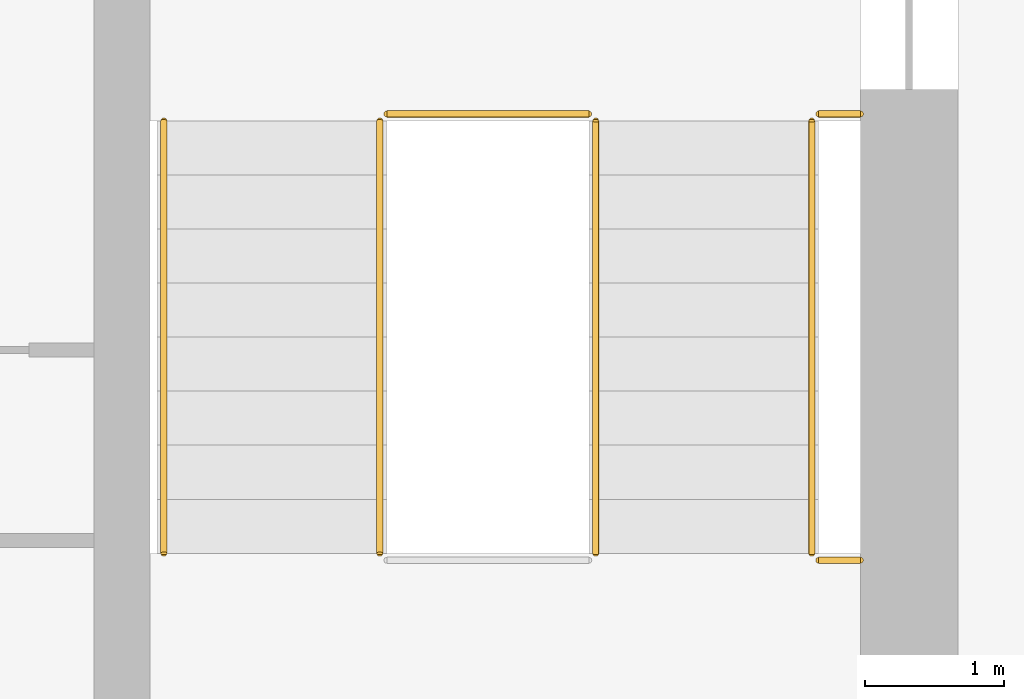
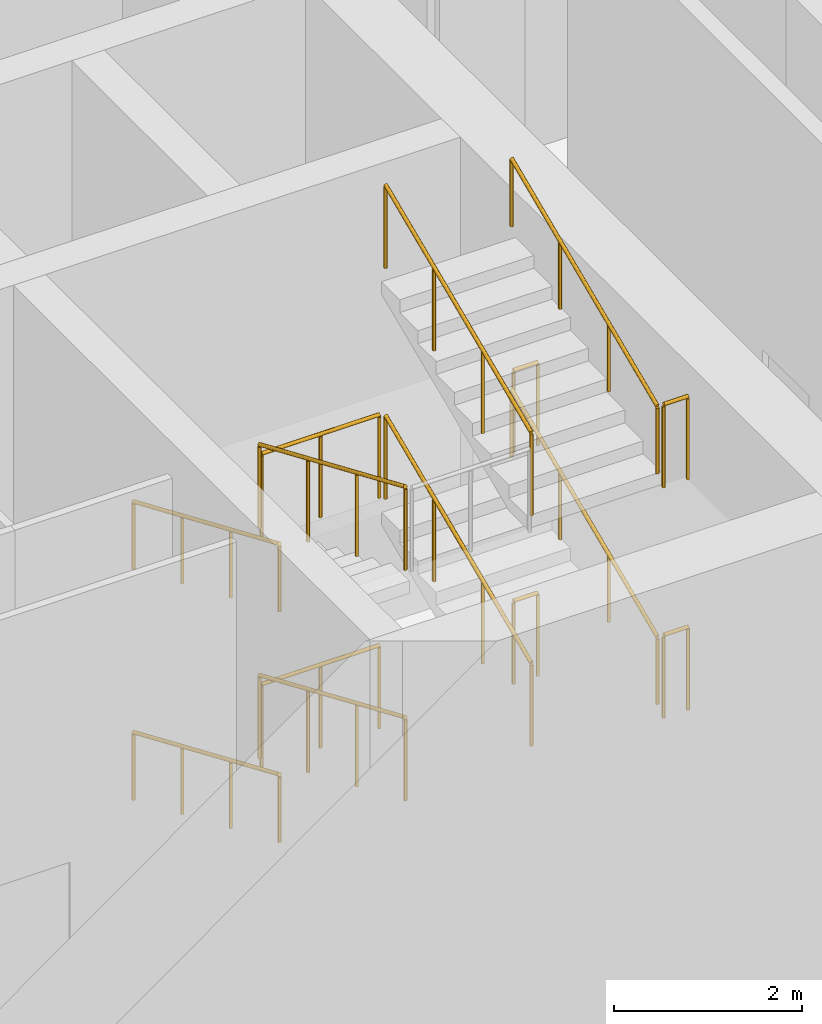
# One storey, part 20 of 25: 14 railings.
"""IFC4 building model written with IfcOpenShell, lengths in metres."""

from ifc_helpers import new_model, si_unit, direction, frame, origin, origin_2d, place, context, subcontext, project, spatial, circle, extrude, material, type_object, element, save


model = new_model("IFC4")

# Units and contexts
model_context = context("Model", 3, precision=1e-05, world=origin(), true_north=direction((0.0, 1.0)))
body_context = subcontext(model_context, "Body", "Model", "MODEL_VIEW")
ifc_project = project(units=[si_unit("LENGTHUNIT", "METRE"), si_unit("AREAUNIT", "SQUARE_METRE"), si_unit("VOLUMEUNIT", "CUBIC_METRE"), si_unit("PLANEANGLEUNIT", "RADIAN"), si_unit("MASSUNIT", "GRAM", prefix="KILO")], contexts=[model_context])

# Site, building, storey
site_placement = place(None, origin())
site = spatial("IfcSite", under=ifc_project, at=site_placement, CompositionType="ELEMENT")
building_placement = place(site_placement, origin())
building = spatial("IfcBuilding", under=site, at=building_placement, Name="Corbel Stack Research Tower", CompositionType="ELEMENT")
storey_placement = place(building_placement, frame((0.0, 0.0, 260.300048828125)))
storey = spatial("IfcBuildingStorey", under=building, at=storey_placement, Name="L59", CompositionType="ELEMENT", Elevation=260.300048828125)

# Railings
ifc_material_1 = material(Name="Steel S355", Category="steel")
railing_type_1 = type_object("IfcRailingType", Name="Stair guard 1100", PredefinedType="GUARDRAIL", material=ifc_material_1)
railing_1_placement = place(storey_placement, frame((13.85009765625, -2.39990234375, 0.16650390625)))
element("IfcRailing", 1, at=railing_1_placement, inside=storey, type_object=railing_type_1, Name="L59 ST-E1 stair guard 1", PredefinedType="GUARDRAIL", context=body_context, shape_type="SweptSolid", body=[
    extrude(circle(Radius=0.02392578125, at=origin_2d()), frame((0.0, 0.0, 1.076171875), z_axis=(0.0, -0.918800789217, 0.394721559753), x_axis=(1.0, 0.0, 0.0)), (0.0, 0.0, 1.0), 3.37841796875),
    extrude(circle(Radius=0.02099609375, at=origin_2d()), origin(), (0.0, 0.0, 1.0), 1.052001953125),
    extrude(circle(Radius=0.02099609375, at=origin_2d()), frame((0.0, -1.03466796875, 0.444580078125)), (0.0, 0.0, 1.0), 1.052001953125),
    extrude(circle(Radius=0.02099609375, at=origin_2d()), frame((0.0, -2.0693359375, 0.888916015625)), (0.0, 0.0, 1.0), 1.052001953125),
    extrude(circle(Radius=0.02099609375, at=origin_2d()), frame((0.0, -3.10400390625, 1.33349609375)), (0.0, 0.0, 1.0), 1.052001953125),
])
railing_2_placement = place(storey_placement, frame((17.0, -5.553955078125, 1.5)))
element("IfcRailing", 2, at=railing_2_placement, inside=storey, type_object=railing_type_1, Name="L59 ST-E1 stair guard 3", PredefinedType="GUARDRAIL", context=body_context, shape_type="SweptSolid", body=[
    extrude(circle(Radius=0.02392578125, at=origin_2d()), frame((0.0, 0.0, 1.076171875), z_axis=(1.0, 0.0, 0.0), x_axis=(0.0, 1.0, 0.0)), (0.0, 0.0, 1.0), 0.300048828125),
    extrude(circle(Radius=0.02099609375, at=origin_2d()), origin(), (0.0, 0.0, 1.0), 1.052001953125),
    extrude(circle(Radius=0.02099609375, at=origin_2d()), frame((0.300048828125, 0.0, 0.0)), (0.0, 0.0, 1.0), 1.052001953125),
])
railing_3_placement = place(storey_placement, frame((15.39990234375, -5.50390625, 1.66650390625)))
element("IfcRailing", 3, at=railing_3_placement, inside=storey, type_object=railing_type_1, Name="L59 ST-E1 stair guard 4", PredefinedType="GUARDRAIL", context=body_context, shape_type="SweptSolid", body=[
    extrude(circle(Radius=0.02392578125, at=origin_2d()), frame((0.0, 0.0, 1.076171875), z_axis=(0.0, 0.918800789217, 0.394721559753), x_axis=(-1.0, 0.0, 0.0)), (0.0, 0.0, 1.0), 3.37841796875),
    extrude(circle(Radius=0.02099609375, at=origin_2d()), origin(), (0.0, 0.0, 1.0), 1.052001953125),
    extrude(circle(Radius=0.02099609375, at=origin_2d()), frame((0.0, 1.03466796875, 0.444580078125)), (0.0, 0.0, 1.0), 1.052001953125),
    extrude(circle(Radius=0.02099609375, at=origin_2d()), frame((0.0, 2.0693359375, 0.888916015625)), (0.0, 0.0, 1.0), 1.052001953125),
    extrude(circle(Radius=0.02099609375, at=origin_2d()), frame((0.0, 3.10400390625, 1.33349609375)), (0.0, 0.0, 1.0), 1.052001953125),
])
railing_4_placement = place(storey_placement, frame((13.89990234375, -2.35009765625, 3.0)))
element("IfcRailing", 4, at=railing_4_placement, inside=storey, type_object=railing_type_1, Name="L59 ST-E1 stair guard 5", PredefinedType="GUARDRAIL", context=body_context, shape_type="SweptSolid", body=[
    extrude(circle(Radius=0.02392578125, at=origin_2d()), frame((0.0, 0.0, 1.076171875), z_axis=(1.0, 0.0, 0.0), x_axis=(0.0, 1.0, 0.0)), (0.0, 0.0, 1.0), 1.4501953125),
    extrude(circle(Radius=0.02099609375, at=origin_2d()), origin(), (0.0, 0.0, 1.0), 1.052001953125),
    extrude(circle(Radius=0.02099609375, at=origin_2d()), frame((0.72509765625, 0.0, 0.0)), (0.0, 0.0, 1.0), 1.052001953125),
    extrude(circle(Radius=0.02099609375, at=origin_2d()), frame((1.4501953125, 0.0, 0.0)), (0.0, 0.0, 1.0), 1.052001953125),
])
railing_5_placement = place(storey_placement, frame((17.0, -2.35009765625, 3.0)))
element("IfcRailing", 5, at=railing_5_placement, inside=storey, type_object=railing_type_1, Name="L59 ST-E1 stair guard 6", PredefinedType="GUARDRAIL", context=body_context, shape_type="SweptSolid", body=[
    extrude(circle(Radius=0.02392578125, at=origin_2d()), frame((0.0, 0.0, 1.076171875), z_axis=(1.0, 0.0, 0.0), x_axis=(0.0, 1.0, 0.0)), (0.0, 0.0, 1.0), 0.300048828125),
    extrude(circle(Radius=0.02099609375, at=origin_2d()), origin(), (0.0, 0.0, 1.0), 1.052001953125),
    extrude(circle(Radius=0.02099609375, at=origin_2d()), frame((0.300048828125, 0.0, 0.0)), (0.0, 0.0, 1.0), 1.052001953125),
])
railing_6_placement = place(storey_placement, frame((13.85009765625, -2.39990234375, 3.16650390625)))
element("IfcRailing", 6, at=railing_6_placement, inside=storey, type_object=railing_type_1, Name="L59 ST-E1 stair guard 7", PredefinedType="GUARDRAIL", context=body_context, shape_type="SweptSolid", body=[
    extrude(circle(Radius=0.02392578125, at=origin_2d()), frame((0.0, 0.0, 1.076171875), z_axis=(0.0, -0.918800789217, 0.394721559753), x_axis=(1.0, 0.0, 0.0)), (0.0, 0.0, 1.0), 3.37841796875),
    extrude(circle(Radius=0.02099609375, at=origin_2d()), origin(), (0.0, 0.0, 1.0), 1.052001953125),
    extrude(circle(Radius=0.02099609375, at=origin_2d()), frame((0.0, -1.03466796875, 0.444580078125)), (0.0, 0.0, 1.0), 1.052001953125),
    extrude(circle(Radius=0.02099609375, at=origin_2d()), frame((0.0, -2.0693359375, 0.888916015625)), (0.0, 0.0, 1.0), 1.052001953125),
    extrude(circle(Radius=0.02099609375, at=origin_2d()), frame((0.0, -3.10400390625, 1.33349609375)), (0.0, 0.0, 1.0), 1.052001953125),
])
railing_7_placement = place(storey_placement, frame((17.0, -5.553955078125, 4.5)))
element("IfcRailing", 7, at=railing_7_placement, inside=storey, type_object=railing_type_1, Name="L59 ST-E1 stair guard 9", PredefinedType="GUARDRAIL", context=body_context, shape_type="SweptSolid", body=[
    extrude(circle(Radius=0.02392578125, at=origin_2d()), frame((0.0, 0.0, 1.076171875), z_axis=(1.0, 0.0, 0.0), x_axis=(0.0, 1.0, 0.0)), (0.0, 0.0, 1.0), 0.300048828125),
    extrude(circle(Radius=0.02099609375, at=origin_2d()), origin(), (0.0, 0.0, 1.0), 1.052001953125),
    extrude(circle(Radius=0.02099609375, at=origin_2d()), frame((0.300048828125, 0.0, 0.0)), (0.0, 0.0, 1.0), 1.052001953125),
])
railing_8_placement = place(storey_placement, frame((15.39990234375, -5.50390625, 4.66650390625)))
element("IfcRailing", 8, at=railing_8_placement, inside=storey, type_object=railing_type_1, Name="L59 ST-E1 stair guard 10", PredefinedType="GUARDRAIL", context=body_context, shape_type="SweptSolid", body=[
    extrude(circle(Radius=0.02392578125, at=origin_2d()), frame((0.0, 0.0, 1.076171875), z_axis=(0.0, 0.918800789217, 0.394721559753), x_axis=(-1.0, 0.0, 0.0)), (0.0, 0.0, 1.0), 3.37841796875),
    extrude(circle(Radius=0.02099609375, at=origin_2d()), origin(), (0.0, 0.0, 1.0), 1.052001953125),
    extrude(circle(Radius=0.02099609375, at=origin_2d()), frame((0.0, 1.03466796875, 0.444580078125)), (0.0, 0.0, 1.0), 1.052001953125),
    extrude(circle(Radius=0.02099609375, at=origin_2d()), frame((0.0, 2.0693359375, 0.888916015625)), (0.0, 0.0, 1.0), 1.052001953125),
    extrude(circle(Radius=0.02099609375, at=origin_2d()), frame((0.0, 3.10400390625, 1.33349609375)), (0.0, 0.0, 1.0), 1.052001953125),
])
railing_9_placement = place(storey_placement, frame((13.89990234375, -2.35009765625, 0.0)))
element("IfcRailing", 9, at=railing_9_placement, inside=storey, type_object=railing_type_1, Name="L59 ST-E1 stair guard 11", PredefinedType="GUARDRAIL", context=body_context, shape_type="SweptSolid", body=[
    extrude(circle(Radius=0.02392578125, at=origin_2d()), frame((0.0, 0.0, 1.076171875), z_axis=(1.0, 0.0, 0.0), x_axis=(0.0, 1.0, 0.0)), (0.0, 0.0, 1.0), 1.4501953125),
    extrude(circle(Radius=0.02099609375, at=origin_2d()), origin(), (0.0, 0.0, 1.0), 1.052001953125),
    extrude(circle(Radius=0.02099609375, at=origin_2d()), frame((0.72509765625, 0.0, 0.0)), (0.0, 0.0, 1.0), 1.052001953125),
    extrude(circle(Radius=0.02099609375, at=origin_2d()), frame((1.4501953125, 0.0, 0.0)), (0.0, 0.0, 1.0), 1.052001953125),
])
railing_10_placement = place(storey_placement, frame((17.0, -2.35009765625, 0.0)))
element("IfcRailing", 10, at=railing_10_placement, inside=storey, type_object=railing_type_1, Name="L59 ST-E1 stair guard 12", PredefinedType="GUARDRAIL", context=body_context, shape_type="SweptSolid", body=[
    extrude(circle(Radius=0.02392578125, at=origin_2d()), frame((0.0, 0.0, 1.076171875), z_axis=(1.0, 0.0, 0.0), x_axis=(0.0, 1.0, 0.0)), (0.0, 0.0, 1.0), 0.300048828125),
    extrude(circle(Radius=0.02099609375, at=origin_2d()), origin(), (0.0, 0.0, 1.0), 1.052001953125),
    extrude(circle(Radius=0.02099609375, at=origin_2d()), frame((0.300048828125, 0.0, 0.0)), (0.0, 0.0, 1.0), 1.052001953125),
])
ifc_material_2 = material(Name="Steel S355", Category="steel")
railing_type_2 = type_object("IfcRailingType", Name="Stair handrail 900", PredefinedType="HANDRAIL", material=ifc_material_2)
railing_11_placement = place(storey_placement, frame((12.300048828125, -2.39990234375, 0.16650390625)))
element("IfcRailing", 11, at=railing_11_placement, inside=storey, type_object=railing_type_2, Name="L59 ST-E1 stair handrail 1", PredefinedType="HANDRAIL", context=body_context, shape_type="SweptSolid", body=[
    extrude(circle(Radius=0.02392578125, at=origin_2d()), frame((0.0, 0.0, 0.8759765625), z_axis=(0.0, -0.918800789217, 0.394721559753), x_axis=(1.0, 0.0, 0.0)), (0.0, 0.0, 1.0), 3.37841796875),
    extrude(circle(Radius=0.02099609375, at=origin_2d()), origin(), (0.0, 0.0, 1.0), 0.851806640625),
    extrude(circle(Radius=0.02099609375, at=origin_2d()), frame((0.0, -1.03466796875, 0.444580078125)), (0.0, 0.0, 1.0), 0.851806640625),
    extrude(circle(Radius=0.02099609375, at=origin_2d()), frame((0.0, -2.0693359375, 0.888916015625)), (0.0, 0.0, 1.0), 0.851806640625),
    extrude(circle(Radius=0.02099609375, at=origin_2d()), frame((0.0, -3.10400390625, 1.33349609375)), (0.0, 0.0, 1.0), 0.851806640625),
])
railing_12_placement = place(storey_placement, frame((16.949951171875, -5.50390625, 1.66650390625)))
element("IfcRailing", 12, at=railing_12_placement, inside=storey, type_object=railing_type_2, Name="L59 ST-E1 stair handrail 2", PredefinedType="HANDRAIL", context=body_context, shape_type="SweptSolid", body=[
    extrude(circle(Radius=0.02392578125, at=origin_2d()), frame((0.0, 0.0, 0.8759765625), z_axis=(0.0, 0.918800789217, 0.394721559753), x_axis=(-1.0, 0.0, 0.0)), (0.0, 0.0, 1.0), 3.37841796875),
    extrude(circle(Radius=0.02099609375, at=origin_2d()), origin(), (0.0, 0.0, 1.0), 0.851806640625),
    extrude(circle(Radius=0.02099609375, at=origin_2d()), frame((0.0, 1.03466796875, 0.444580078125)), (0.0, 0.0, 1.0), 0.851806640625),
    extrude(circle(Radius=0.02099609375, at=origin_2d()), frame((0.0, 2.0693359375, 0.888916015625)), (0.0, 0.0, 1.0), 0.851806640625),
    extrude(circle(Radius=0.02099609375, at=origin_2d()), frame((0.0, 3.10400390625, 1.33349609375)), (0.0, 0.0, 1.0), 0.851806640625),
])
railing_13_placement = place(storey_placement, frame((12.300048828125, -2.39990234375, 3.16650390625)))
element("IfcRailing", 13, at=railing_13_placement, inside=storey, type_object=railing_type_2, Name="L59 ST-E1 stair handrail 3", PredefinedType="HANDRAIL", context=body_context, shape_type="SweptSolid", body=[
    extrude(circle(Radius=0.02392578125, at=origin_2d()), frame((0.0, 0.0, 0.8759765625), z_axis=(0.0, -0.918800789217, 0.394721559753), x_axis=(1.0, 0.0, 0.0)), (0.0, 0.0, 1.0), 3.37841796875),
    extrude(circle(Radius=0.02099609375, at=origin_2d()), origin(), (0.0, 0.0, 1.0), 0.851806640625),
    extrude(circle(Radius=0.02099609375, at=origin_2d()), frame((0.0, -1.03466796875, 0.444580078125)), (0.0, 0.0, 1.0), 0.851806640625),
    extrude(circle(Radius=0.02099609375, at=origin_2d()), frame((0.0, -2.0693359375, 0.888916015625)), (0.0, 0.0, 1.0), 0.851806640625),
    extrude(circle(Radius=0.02099609375, at=origin_2d()), frame((0.0, -3.10400390625, 1.33349609375)), (0.0, 0.0, 1.0), 0.851806640625),
])
railing_14_placement = place(storey_placement, frame((16.949951171875, -5.50390625, 4.66650390625)))
element("IfcRailing", 14, at=railing_14_placement, inside=storey, type_object=railing_type_2, Name="L59 ST-E1 stair handrail 4", PredefinedType="HANDRAIL", context=body_context, shape_type="SweptSolid", body=[
    extrude(circle(Radius=0.02392578125, at=origin_2d()), frame((0.0, 0.0, 0.8759765625), z_axis=(0.0, 0.918800789217, 0.394721559753), x_axis=(-1.0, 0.0, 0.0)), (0.0, 0.0, 1.0), 3.37841796875),
    extrude(circle(Radius=0.02099609375, at=origin_2d()), origin(), (0.0, 0.0, 1.0), 0.851806640625),
    extrude(circle(Radius=0.02099609375, at=origin_2d()), frame((0.0, 1.03466796875, 0.444580078125)), (0.0, 0.0, 1.0), 0.851806640625),
    extrude(circle(Radius=0.02099609375, at=origin_2d()), frame((0.0, 2.0693359375, 0.888916015625)), (0.0, 0.0, 1.0), 0.851806640625),
    extrude(circle(Radius=0.02099609375, at=origin_2d()), frame((0.0, 3.10400390625, 1.33349609375)), (0.0, 0.0, 1.0), 0.851806640625),
])

save(model, "model.ifc")
